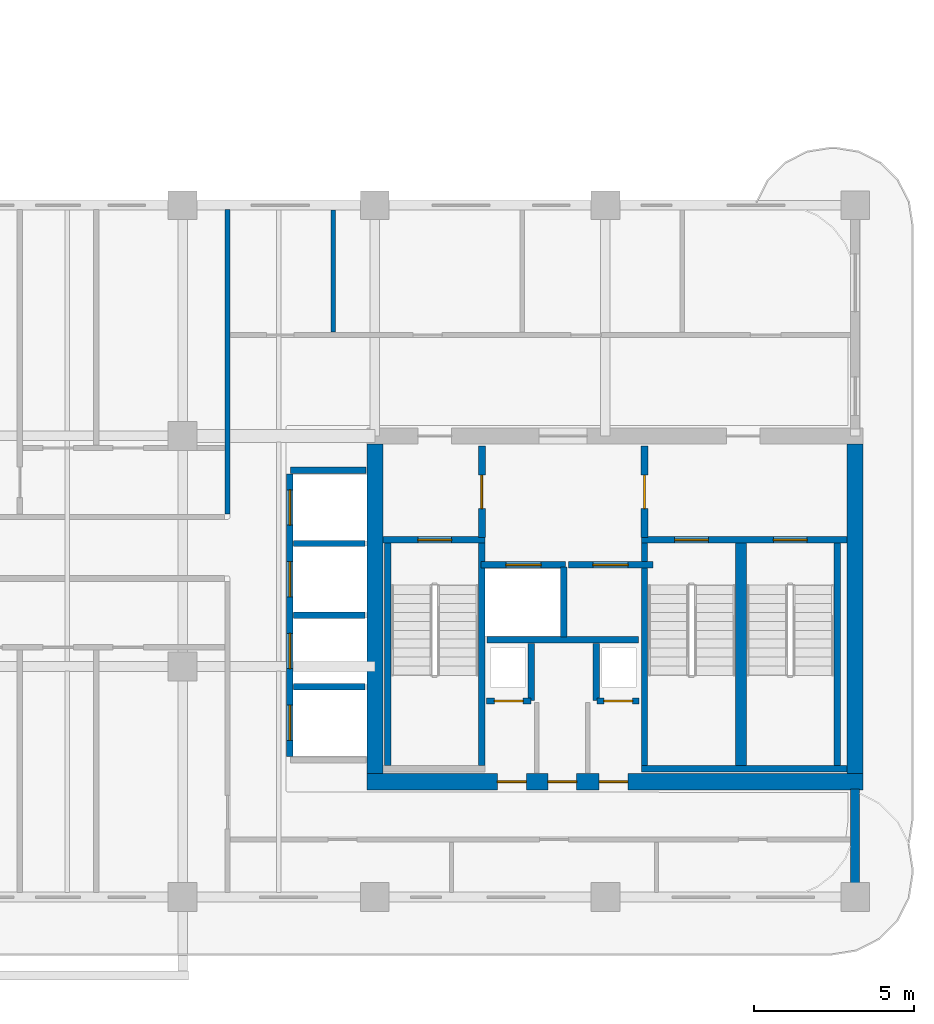
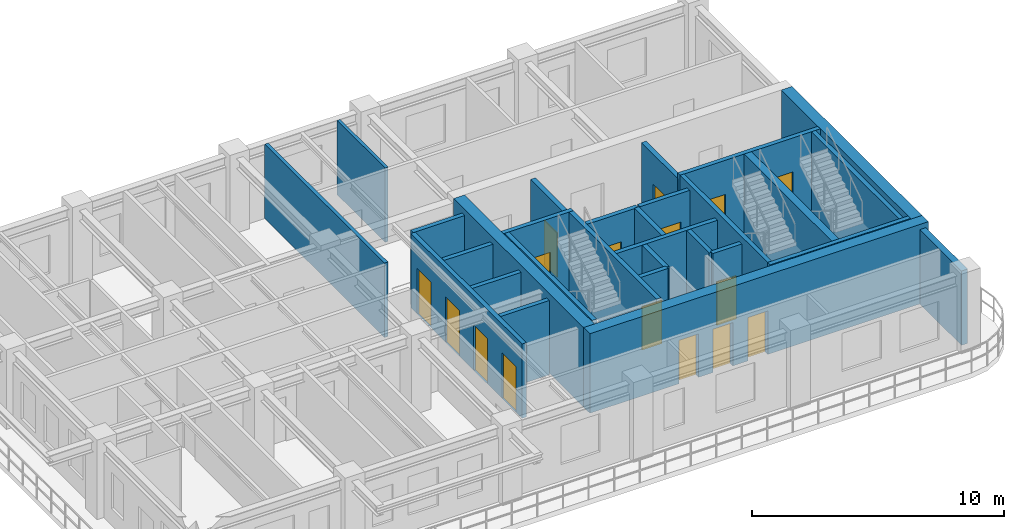
# One storey, part 6 of 14: 29 walls, 16 doors, 16 openings.
"""IFC4 building model written with IfcOpenShell, lengths in metres."""

from ifc_helpers import new_model, si_unit, derived_unit, direction, frame, frame_2d, origin, place, context, subcontext, project, spatial, rectangle, extrude, source, transform, mapped, material, layer, layer_set, type_object, type_shapes, element, fill, save


model = new_model("IFC4")

# Units and contexts
model_context = context("Model", 3, precision=1e-05, world=origin(), true_north=direction((0.0, 1.0)))
body_context = subcontext(model_context, "Body", "Model", "MODEL_VIEW")
ifc_project = project(units=[si_unit("LENGTHUNIT", "METRE"), si_unit("AREAUNIT", "SQUARE_METRE"), si_unit("VOLUMEUNIT", "CUBIC_METRE"), si_unit("PLANEANGLEUNIT", "RADIAN"), si_unit("MASSUNIT", "GRAM", prefix="KILO"), si_unit("THERMODYNAMICTEMPERATUREUNIT", "KELVIN"), si_unit("POWERUNIT", "WATT"), derived_unit("THERMALTRANSMITTANCEUNIT", [(si_unit("POWERUNIT", "WATT"), 1), (si_unit("AREAUNIT", "SQUARE_METRE"), -1), (si_unit("THERMODYNAMICTEMPERATUREUNIT", "KELVIN"), -1)])], contexts=[model_context])

# Site, building, storey
site_placement = place(None, origin())
site = spatial("IfcSite", under=ifc_project, at=site_placement, CompositionType="ELEMENT")
building_placement = place(site_placement, origin())
building = spatial("IfcBuilding", under=site, at=building_placement, Name="Zahravan Archway Hotel and Residences", CompositionType="ELEMENT")
storey_placement = place(building_placement, frame((0.0, 0.0, 205.75)))
storey = spatial("IfcBuildingStorey", under=building, at=storey_placement, Name="L51", CompositionType="ELEMENT", Elevation=205.75)

# Wall, openings, doors
ifc_material_1 = material(Name="Concrete C60/75", Category="concrete")
ifc_layer_1 = layer(ifc_material_1, 0.5, Name="Concrete C60/75", Category="concrete")
ifc_layer_set_1 = layer_set([ifc_layer_1], Name="Concrete C60/75")
wall_type_1 = type_object("IfcWallType", Name="CW-CORE-500", PredefinedType="SHEAR", material=ifc_layer_set_1)
wall_1_placement = place(storey_placement, frame((34.550048828125, 3.60009765625, 0.0), z_axis=(0.0, 0.0, 1.0), x_axis=(1.0, 0.0, 0.0)))
wall_1 = element("IfcWall", 1, at=wall_1_placement, inside=storey, type_object=wall_type_1, Name="L51 Core A Shear S Wall 500 mm", PredefinedType="SHEAR", context=body_context, shape_type="SweptSolid", body=[
    extrude(rectangle(XDim=15.5, YDim=0.5, at=frame_2d((7.75, 0.0))), origin(), (0.0, 0.0, 1.0), 3.85009765625),
])
opening_1_placement = place(wall_1_placement, frame((4.080078125, 0.0, 0.0)))
opening_1 = element("IfcOpeningElement", 2, at=opening_1_placement, cuts=wall_1, Name="Opening FD-R1", PredefinedType="OPENING", context=body_context, shape_type="SweptSolid", body=[
    extrude(rectangle(XDim=0.89990234375, YDim=2.10009765625, at=frame_2d((0.449951171875, 1.050048828125))), frame((0.0, 0.260009765625, 0.0), z_axis=(0.0, -1.0, 0.0), x_axis=(1.0, 0.0, 0.0)), (0.0, 0.0, 1.0), 0.52001953125),
])
opening_2_placement = place(wall_1_placement, frame((5.64990234375, 0.0, 0.0)))
opening_2 = element("IfcOpeningElement", 3, at=opening_2_placement, cuts=wall_1, Name="Opening FD-R1", PredefinedType="OPENING", context=body_context, shape_type="SweptSolid", body=[
    extrude(rectangle(XDim=0.89990234375, YDim=2.10009765625, at=frame_2d((0.449951171875, 1.050048828125))), frame((0.0, 0.260009765625, 0.0), z_axis=(0.0, -1.0, 0.0), x_axis=(1.0, 0.0, 0.0)), (0.0, 0.0, 1.0), 0.52001953125),
])
opening_3_placement = place(wall_1_placement, frame((7.25, 0.0, 0.0)))
opening_3 = element("IfcOpeningElement", 4, at=opening_3_placement, cuts=wall_1, Name="Opening FD-R1", PredefinedType="OPENING", context=body_context, shape_type="SweptSolid", body=[
    extrude(rectangle(XDim=0.89990234375, YDim=2.10009765625, at=frame_2d((0.449951171875, 1.050048828125))), frame((0.0, 0.260009765625, 0.0), z_axis=(0.0, -1.0, 0.0), x_axis=(1.0, 0.0, 0.0)), (0.0, 0.0, 1.0), 0.52001953125),
])
ifc_material_2 = material(Name="Fire-Rated Painted Steel", Category="steel")
door_type_1 = type_object("IfcDoorType", Name="FD-RISER-900", OperationType="NOTDEFINED", PredefinedType="DOOR", material=ifc_material_2)
shared_shape_1 = source(origin(), body_context, "Body", "SweptSolid", [
    extrude(rectangle(XDim=0.89990234375, YDim=2.10009765625, at=frame_2d((0.449951171875, 1.050048828125))), frame((0.0, 0.02490234375, 0.0), z_axis=(0.0, -1.0, 0.0), x_axis=(1.0, 0.0, 0.0)), (0.0, 0.0, 1.0), 0.050048828125),
])
type_shapes(door_type_1, [shared_shape_1])
door_1_placement = place(opening_1_placement, origin())
door_1 = element("IfcDoor", 5, at=door_1_placement, inside=storey, type_object=door_type_1, Name="L51 Linen Store Door", OperationType="SINGLE_SWING_RIGHT", OverallHeight=2.10009765625, OverallWidth=0.89990234375, PredefinedType="DOOR", context=body_context, shape_type="MappedRepresentation", body=[
    mapped(shared_shape_1, transform((0.0, 0.0, 0.0), scale=1.0)),
])
fill(opening_1, door_1)
door_2_placement = place(opening_2_placement, origin())
door_2 = element("IfcDoor", 6, at=door_2_placement, inside=storey, type_object=door_type_1, Name="L51 Housekeeping Store Door", OperationType="SINGLE_SWING_LEFT", OverallHeight=2.10009765625, OverallWidth=0.89990234375, PredefinedType="DOOR", context=body_context, shape_type="MappedRepresentation", body=[
    mapped(shared_shape_1, transform((0.0, 0.0, 0.0), scale=1.0)),
])
fill(opening_2, door_2)
door_3_placement = place(opening_3_placement, origin())
door_3 = element("IfcDoor", 7, at=door_3_placement, inside=storey, type_object=door_type_1, Name="L51 Janitor Store Door", OperationType="SINGLE_SWING_RIGHT", OverallHeight=2.10009765625, OverallWidth=0.89990234375, PredefinedType="DOOR", context=body_context, shape_type="MappedRepresentation", body=[
    mapped(shared_shape_1, transform((0.0, 0.0, 0.0), scale=1.0)),
])
fill(opening_3, door_3)

# Walls
for number, where, z_axis, x_axis, name in (
    (8, (34.800048828125, 3.85009765625, 0.0), (0.0, 0.0, 1.0), (0.0, 1.0, 0.0), "L51 Core A Shear W Wall 500 mm"),
    (9, (49.800048828125, 3.85009765625, 0.0), (0.0, 0.0, 1.0), (0.0, 1.0, 0.0), "L51 Core A Shear E Wall 500 mm"),
):
    element("IfcWall", number, at=place(storey_placement, frame(where, z_axis=z_axis, x_axis=x_axis)), inside=storey, type_object=wall_type_1, Name=name, PredefinedType="SHEAR", context=body_context, shape_type="SweptSolid", body=[
        extrude(rectangle(XDim=10.2998046875, YDim=0.5, at=frame_2d((5.14990234375, 0.0))), origin(), (0.0, 0.0, 1.0), 3.85009765625),
    ])
ifc_material_3 = material(Name="Honed Red-Ochre Sandstone & Insulated Block", Category="masonry")
ifc_layer_2 = layer(ifc_material_3, 0.280029296875, Name="Honed Red-Ochre Sandstone & Insulated Block", Category="masonry")
ifc_layer_set_2 = layer_set([ifc_layer_2], Name="Honed Red-Ochre Sandstone & Insulated Block")
wall_type_2 = type_object("IfcWallType", Name="EW-LOG-280", PredefinedType="SOLIDWALL", material=ifc_layer_set_2)
wall_2_placement = place(storey_placement, frame((49.800048828125, 0.050048828125, 0.0), z_axis=(0.0, 0.0, 1.0), x_axis=(0.0, 1.0, 0.0)))
element("IfcWall", 10, at=wall_2_placement, inside=storey, type_object=wall_type_2, Name="L51 Exterior Sandstone Wall WA-ES", PredefinedType="SOLIDWALL", context=body_context, shape_type="SweptSolid", body=[
    extrude(rectangle(XDim=3.329833984375, YDim=0.280029296875, at=frame_2d((1.6650390625, 0.0))), origin(), (0.0, 0.0, 1.0), 3.60009765625),
])

# Wall, opening, door
ifc_material_4 = material(Name="Fire-Rated Gypsum & Concrete Block", Category="concrete")
ifc_layer_3 = layer(ifc_material_4, 0.219970703125, Name="Fire-Rated Gypsum & Concrete Block", Category="concrete")
ifc_layer_set_3 = layer_set([ifc_layer_3], Name="Fire-Rated Gypsum & Concrete Block")
wall_type_3 = type_object("IfcWallType", Name="PW-COMP-220", PredefinedType="PARTITIONING", material=ifc_layer_set_3)
wall_3_placement = place(storey_placement, frame((38.139892578125, 11.219970703125, 0.0), z_axis=(0.0, 0.0, 1.0), x_axis=(0.0, 1.0, 0.0)))
wall_3 = element("IfcWall", 11, at=wall_3_placement, inside=storey, type_object=wall_type_3, Name="L51 Partition CA-LOBW", PredefinedType="PARTITIONING", context=body_context, shape_type="SweptSolid", body=[
    extrude(rectangle(XDim=2.860107421875, YDim=0.219970703125, at=frame_2d((1.43017578125, 0.0))), origin(), (0.0, 0.0, 1.0), 3.60009765625),
])
opening_4_placement = place(wall_3_placement, frame((0.905029296875, 0.0, 0.0)))
opening_4 = element("IfcOpeningElement", 12, at=opening_4_placement, cuts=wall_3, Name="Opening FD-L2", PredefinedType="OPENING", context=body_context, shape_type="SweptSolid", body=[
    extrude(rectangle(XDim=1.050048828125, YDim=2.14990234375, at=frame_2d((0.52490234375, 1.074951171875))), frame((0.0, 0.1201171875, 0.0), z_axis=(0.0, -1.0, 0.0), x_axis=(1.0, 0.0, 0.0)), (0.0, 0.0, 1.0), 0.239990234375),
])
door_type_2 = type_object("IfcDoorType", Name="FD-LOBBY-1100", OperationType="NOTDEFINED", PredefinedType="DOOR", material=ifc_material_2)
shared_shape_2 = source(origin(), body_context, "Body", "SweptSolid", [
    extrude(rectangle(XDim=1.050048828125, YDim=2.14990234375, at=frame_2d((0.52490234375, 1.074951171875))), frame((0.0, 0.02490234375, 0.0), z_axis=(0.0, -1.0, 0.0), x_axis=(1.0, 0.0, 0.0)), (0.0, 0.0, 1.0), 0.050048828125),
])
type_shapes(door_type_2, [shared_shape_2])
door_4_placement = place(opening_4_placement, origin())
door_4 = element("IfcDoor", 13, at=door_4_placement, inside=storey, type_object=door_type_2, Name="L51 Core A West Stair to FSAE Lobby Door", OperationType="SINGLE_SWING_RIGHT", OverallHeight=2.14990234375, OverallWidth=1.050048828125, PredefinedType="DOOR", context=body_context, shape_type="MappedRepresentation", body=[
    mapped(shared_shape_2, transform((0.0, 0.0, 0.0), scale=1.0)),
])
fill(opening_4, door_4)

wall_4_placement = place(storey_placement, frame((43.219970703125, 11.219970703125, 0.0), z_axis=(0.0, 0.0, 1.0), x_axis=(0.0, 1.0, 0.0)))
wall_4 = element("IfcWall", 14, at=wall_4_placement, inside=storey, type_object=wall_type_3, Name="L51 Partition CA-LOBE", PredefinedType="PARTITIONING", context=body_context, shape_type="SweptSolid", body=[
    extrude(rectangle(XDim=2.860107421875, YDim=0.219970703125, at=frame_2d((1.43017578125, 0.0))), origin(), (0.0, 0.0, 1.0), 3.60009765625),
])
opening_5_placement = place(wall_4_placement, frame((0.905029296875, 0.0, 0.0)))
opening_5 = element("IfcOpeningElement", 15, at=opening_5_placement, cuts=wall_4, Name="Opening FD-L2", PredefinedType="OPENING", context=body_context, shape_type="SweptSolid", body=[
    extrude(rectangle(XDim=1.050048828125, YDim=2.14990234375, at=frame_2d((0.52490234375, 1.074951171875))), frame((0.0, 0.1201171875, 0.0), z_axis=(0.0, -1.0, 0.0), x_axis=(1.0, 0.0, 0.0)), (0.0, 0.0, 1.0), 0.239990234375),
])
door_5_placement = place(opening_5_placement, origin())
door_5 = element("IfcDoor", 16, at=door_5_placement, inside=storey, type_object=door_type_2, Name="L51 Core A East Stair to FSAE Lobby Door", OperationType="SINGLE_SWING_LEFT", OverallHeight=2.14990234375, OverallWidth=1.050048828125, PredefinedType="DOOR", context=body_context, shape_type="MappedRepresentation", body=[
    mapped(shared_shape_2, transform((0.0, 0.0, 0.0), scale=1.0)),
])
fill(opening_5, door_5)

# Walls
ifc_layer_4 = layer(ifc_material_4, 0.159912109375, Name="Fire-Rated Gypsum & Concrete Block", Category="concrete")
ifc_layer_set_4 = layer_set([ifc_layer_4], Name="Fire-Rated Gypsum & Concrete Block")
wall_type_4 = type_object("IfcWallType", Name="PW-CORR-160", PredefinedType="PARTITIONING", material=ifc_layer_set_4)
wall_5_placement = place(storey_placement, frame((30.199951171875, 11.9599609375, 0.0), z_axis=(0.0, 0.0, 1.0), x_axis=(0.0, 1.0, 0.0)))
element("IfcWall", 17, at=wall_5_placement, inside=storey, type_object=wall_type_4, Name="L51 Partition WA-FW", PredefinedType="PARTITIONING", context=body_context, shape_type="SweptSolid", body=[
    extrude(rectangle(XDim=9.5, YDim=0.159912109375, at=frame_2d((4.75, 0.0))), origin(), (0.0, 0.0, 1.0), 3.60009765625),
])
ifc_layer_5 = layer(ifc_material_4, 0.199951171875, Name="Fire-Rated Gypsum & Concrete Block", Category="concrete")
ifc_layer_set_5 = layer_set([ifc_layer_5], Name="Fire-Rated Gypsum & Concrete Block")
wall_type_5 = type_object("IfcWallType", Name="PW-SHAFT-200", PredefinedType="PARTITIONING", material=ifc_layer_set_5)
wall_6_placement = place(storey_placement, frame((38.300048828125, 8.030029296875, 0.0), z_axis=(0.0, 0.0, 1.0), x_axis=(1.0, 0.0, 0.0)))
element("IfcWall", 18, at=wall_6_placement, inside=storey, type_object=wall_type_5, Name="L51 Partition CA-FLS", PredefinedType="PARTITIONING", context=body_context, shape_type="SweptSolid", body=[
    extrude(rectangle(XDim=4.739990234375, YDim=0.199951171875, at=frame_2d((2.3701171875, 0.0))), origin(), (0.0, 0.0, 1.0), 3.60009765625),
])
wall_7_placement = place(storey_placement, frame((40.699951171875, 8.1201171875, 0.0), z_axis=(0.0, 0.0, 1.0), x_axis=(0.0, 1.0, 0.0)))
element("IfcWall", 19, at=wall_7_placement, inside=storey, type_object=wall_type_5, Name="L51 Partition CA-FLM", PredefinedType="PARTITIONING", context=body_context, shape_type="SweptSolid", body=[
    extrude(rectangle(XDim=2.179931640625, YDim=0.199951171875, at=frame_2d((1.08984375, 0.0))), origin(), (0.0, 0.0, 1.0), 3.60009765625),
])

# Wall, opening, door
wall_8_placement = place(storey_placement, frame((38.2900390625, 6.1201171875, 0.0), z_axis=(0.0, 0.0, 1.0), x_axis=(1.0, 0.0, 0.0)))
wall_8 = element("IfcWall", 20, at=wall_8_placement, inside=storey, type_object=wall_type_5, Name="L51 Partition CA-SMKS", PredefinedType="PARTITIONING", context=body_context, shape_type="SweptSolid", body=[
    extrude(rectangle(XDim=1.3798828125, YDim=0.199951171875, at=frame_2d((0.68994140625, 0.0))), origin(), (0.0, 0.0, 1.0), 3.60009765625),
])
opening_6_placement = place(wall_8_placement, frame((0.239990234375, 0.0, 0.0)))
opening_6 = element("IfcOpeningElement", 21, at=opening_6_placement, cuts=wall_8, Name="Opening FD-R1", PredefinedType="OPENING", context=body_context, shape_type="SweptSolid", body=[
    extrude(rectangle(XDim=0.89990234375, YDim=2.10009765625, at=frame_2d((0.449951171875, 1.050048828125))), frame((0.0, 0.10986328125, 0.0), z_axis=(0.0, -1.0, 0.0), x_axis=(1.0, 0.0, 0.0)), (0.0, 0.0, 1.0), 0.219970703125),
])
door_6_placement = place(opening_6_placement, origin())
door_6 = element("IfcDoor", 22, at=door_6_placement, inside=storey, type_object=door_type_1, Name="L51 Smoke Riser Access Door", OperationType="SINGLE_SWING_RIGHT", OverallHeight=2.10009765625, OverallWidth=0.89990234375, PredefinedType="DOOR", context=body_context, shape_type="MappedRepresentation", body=[
    mapped(shared_shape_1, transform((0.0, 0.0, 0.0), scale=1.0)),
])
fill(opening_6, door_6)

# Wall
wall_9_placement = place(storey_placement, frame((39.679931640625, 6.1298828125, 0.0), z_axis=(0.0, 0.0, 1.0), x_axis=(0.0, 1.0, 0.0)))
element("IfcWall", 23, at=wall_9_placement, inside=storey, type_object=wall_type_5, Name="L51 Partition CA-SMKE", PredefinedType="PARTITIONING", context=body_context, shape_type="SweptSolid", body=[
    extrude(rectangle(XDim=1.7900390625, YDim=0.199951171875, at=frame_2d((0.89501953125, 0.0))), origin(), (0.0, 0.0, 1.0), 3.60009765625),
])

# Wall, opening, door
wall_10_placement = place(storey_placement, frame((41.72998046875, 6.1201171875, 0.0), z_axis=(0.0, 0.0, 1.0), x_axis=(1.0, 0.0, 0.0)))
wall_10 = element("IfcWall", 24, at=wall_10_placement, inside=storey, type_object=wall_type_5, Name="L51 Partition CA-MEPS", PredefinedType="PARTITIONING", context=body_context, shape_type="SweptSolid", body=[
    extrude(rectangle(XDim=1.320068359375, YDim=0.199951171875, at=frame_2d((0.66015625, 0.0))), origin(), (0.0, 0.0, 1.0), 3.60009765625),
])
opening_7_placement = place(wall_10_placement, frame((0.219970703125, 0.0, 0.0)))
opening_7 = element("IfcOpeningElement", 25, at=opening_7_placement, cuts=wall_10, Name="Opening FD-R1", PredefinedType="OPENING", context=body_context, shape_type="SweptSolid", body=[
    extrude(rectangle(XDim=0.89990234375, YDim=2.10009765625, at=frame_2d((0.449951171875, 1.050048828125))), frame((0.0, 0.10986328125, 0.0), z_axis=(0.0, -1.0, 0.0), x_axis=(1.0, 0.0, 0.0)), (0.0, 0.0, 1.0), 0.219970703125),
])
door_7_placement = place(opening_7_placement, origin())
door_7 = element("IfcDoor", 26, at=door_7_placement, inside=storey, type_object=door_type_1, Name="L51 MEP Riser Access Door", OperationType="SINGLE_SWING_LEFT", OverallHeight=2.10009765625, OverallWidth=0.89990234375, PredefinedType="DOOR", context=body_context, shape_type="MappedRepresentation", body=[
    mapped(shared_shape_1, transform((0.0, 0.0, 0.0), scale=1.0)),
])
fill(opening_7, door_7)

# Walls
wall_11_placement = place(storey_placement, frame((41.719970703125, 6.1298828125, 0.0), z_axis=(0.0, 0.0, 1.0), x_axis=(0.0, 1.0, 0.0)))
element("IfcWall", 27, at=wall_11_placement, inside=storey, type_object=wall_type_5, Name="L51 Partition CA-MEPW", PredefinedType="PARTITIONING", context=body_context, shape_type="SweptSolid", body=[
    extrude(rectangle(XDim=1.7900390625, YDim=0.199951171875, at=frame_2d((0.89501953125, 0.0))), origin(), (0.0, 0.0, 1.0), 3.60009765625),
])
wall_12_placement = place(storey_placement, frame((32.159912109375, 13.320068359375, 0.0), z_axis=(0.0, 0.0, 1.0), x_axis=(1.0, 0.0, 0.0)))
element("IfcWall", 28, at=wall_12_placement, inside=storey, type_object=wall_type_5, Name="L51 Partition B3-N", PredefinedType="PARTITIONING", context=body_context, shape_type="SweptSolid", body=[
    extrude(rectangle(XDim=2.360107421875, YDim=0.199951171875, at=frame_2d((1.18017578125, 0.0))), origin(), (0.0, 0.0, 1.0), 3.60009765625),
])

# Wall, openings, doors
wall_13_placement = place(storey_placement, frame((32.14990234375, 4.389892578125, 0.0), z_axis=(0.0, 0.0, 1.0), x_axis=(0.0, 1.0, 0.0)))
wall_13 = element("IfcWall", 29, at=wall_13_placement, inside=storey, type_object=wall_type_5, Name="L51 Partition B3-W", PredefinedType="PARTITIONING", context=body_context, shape_type="SweptSolid", body=[
    extrude(rectangle(XDim=8.820068359375, YDim=0.199951171875, at=frame_2d((4.41015625, 0.0))), origin(), (0.0, 0.0, 1.0), 3.60009765625),
])
opening_8_placement = place(wall_13_placement, frame((0.5, 0.0, 0.0)))
opening_8 = element("IfcOpeningElement", 30, at=opening_8_placement, cuts=wall_13, Name="Opening LD", PredefinedType="OPENING", context=body_context, shape_type="SweptSolid", body=[
    extrude(rectangle(XDim=1.10009765625, YDim=2.199951171875, at=frame_2d((0.550048828125, 1.10009765625))), frame((0.0, 0.10986328125, 0.0), z_axis=(0.0, -1.0, 0.0), x_axis=(1.0, 0.0, 0.0)), (0.0, 0.0, 1.0), 0.219970703125),
])
opening_9_placement = place(wall_13_placement, frame((2.739990234375, 0.0, 0.0)))
opening_9 = element("IfcOpeningElement", 31, at=opening_9_placement, cuts=wall_13, Name="Opening LD", PredefinedType="OPENING", context=body_context, shape_type="SweptSolid", body=[
    extrude(rectangle(XDim=1.10009765625, YDim=2.199951171875, at=frame_2d((0.550048828125, 1.10009765625))), frame((0.0, 0.10986328125, 0.0), z_axis=(0.0, -1.0, 0.0), x_axis=(1.0, 0.0, 0.0)), (0.0, 0.0, 1.0), 0.219970703125),
])
opening_10_placement = place(wall_13_placement, frame((4.97998046875, 0.0, 0.0)))
opening_10 = element("IfcOpeningElement", 32, at=opening_10_placement, cuts=wall_13, Name="Opening LD", PredefinedType="OPENING", context=body_context, shape_type="SweptSolid", body=[
    extrude(rectangle(XDim=1.10009765625, YDim=2.199951171875, at=frame_2d((0.550048828125, 1.10009765625))), frame((0.0, 0.10986328125, 0.0), z_axis=(0.0, -1.0, 0.0), x_axis=(1.0, 0.0, 0.0)), (0.0, 0.0, 1.0), 0.219970703125),
])
opening_11_placement = place(wall_13_placement, frame((7.219970703125, 0.0, 0.0)))
opening_11 = element("IfcOpeningElement", 33, at=opening_11_placement, cuts=wall_13, Name="Opening LD", PredefinedType="OPENING", context=body_context, shape_type="SweptSolid", body=[
    extrude(rectangle(XDim=1.10009765625, YDim=2.199951171875, at=frame_2d((0.550048828125, 1.10009765625))), frame((0.0, 0.10986328125, 0.0), z_axis=(0.0, -1.0, 0.0), x_axis=(1.0, 0.0, 0.0)), (0.0, 0.0, 1.0), 0.219970703125),
])
ifc_material_5 = material(Name="Brushed Stainless Steel", Category="steel")
door_type_3 = type_object("IfcDoorType", Name="DR-LIFT-LD", OperationType="SLIDING_TO_LEFT", PredefinedType="DOOR", material=ifc_material_5)
shared_shape_3 = source(origin(), body_context, "Body", "SweptSolid", [
    extrude(rectangle(XDim=1.10009765625, YDim=2.199951171875, at=frame_2d((0.550048828125, 1.10009765625))), frame((0.0, 0.02490234375, 0.0), z_axis=(0.0, -1.0, 0.0), x_axis=(1.0, 0.0, 0.0)), (0.0, 0.0, 1.0), 0.050048828125),
])
type_shapes(door_type_3, [shared_shape_3])
door_8_placement = place(opening_8_placement, origin())
door_8 = element("IfcDoor", 34, at=door_8_placement, inside=storey, type_object=door_type_3, Name="L51 Lift LP-7 Sliding Landing Door", OperationType="SLIDING_TO_LEFT", OverallHeight=2.199951171875, OverallWidth=1.10009765625, PredefinedType="DOOR", context=body_context, shape_type="MappedRepresentation", body=[
    mapped(shared_shape_3, transform((0.0, 0.0, 0.0), scale=1.0)),
])
fill(opening_8, door_8)
door_9_placement = place(opening_9_placement, origin())
door_9 = element("IfcDoor", 35, at=door_9_placement, inside=storey, type_object=door_type_3, Name="L51 Lift LP-8 Sliding Landing Door", OperationType="SLIDING_TO_LEFT", OverallHeight=2.199951171875, OverallWidth=1.10009765625, PredefinedType="DOOR", context=body_context, shape_type="MappedRepresentation", body=[
    mapped(shared_shape_3, transform((0.0, 0.0, 0.0), scale=1.0)),
])
fill(opening_9, door_9)
door_10_placement = place(opening_10_placement, origin())
door_10 = element("IfcDoor", 36, at=door_10_placement, inside=storey, type_object=door_type_3, Name="L51 Lift LP-9 Sliding Landing Door", OperationType="SLIDING_TO_LEFT", OverallHeight=2.199951171875, OverallWidth=1.10009765625, PredefinedType="DOOR", context=body_context, shape_type="MappedRepresentation", body=[
    mapped(shared_shape_3, transform((0.0, 0.0, 0.0), scale=1.0)),
])
fill(opening_10, door_10)
door_11_placement = place(opening_11_placement, origin())
door_11 = element("IfcDoor", 37, at=door_11_placement, inside=storey, type_object=door_type_3, Name="L51 Lift LP-10 Sliding Landing Door", OperationType="SLIDING_TO_LEFT", OverallHeight=2.199951171875, OverallWidth=1.10009765625, PredefinedType="DOOR", context=body_context, shape_type="MappedRepresentation", body=[
    mapped(shared_shape_3, transform((0.0, 0.0, 0.0), scale=1.0)),
])
fill(opening_11, door_11)

# Walls
for number, where, z_axis, x_axis, name in (
    (38, (32.260009765625, 6.56005859375, 0.0), (0.0, 0.0, 1.0), (1.0, 0.0, 0.0), "L51 Partition B3-D"),
    (39, (32.260009765625, 8.800048828125, 0.0), (0.0, 0.0, 1.0), (1.0, 0.0, 0.0), "L51 Partition B3-D"),
    (40, (32.260009765625, 11.0400390625, 0.0), (0.0, 0.0, 1.0), (1.0, 0.0, 0.0), "L51 Partition B3-D"),
):
    element("IfcWall", number, at=place(storey_placement, frame(where, z_axis=z_axis, x_axis=x_axis)), inside=storey, type_object=wall_type_5, Name=name, PredefinedType="PARTITIONING", context=body_context, shape_type="SweptSolid", body=[
        extrude(rectangle(XDim=2.22998046875, YDim=0.199951171875, at=frame_2d((1.114990234375, 0.0))), origin(), (0.0, 0.0, 1.0), 3.60009765625),
    ])

# Wall, opening, door
wall_14_placement = place(storey_placement, frame((38.1201171875, 10.3701171875, 0.0), z_axis=(0.0, 0.0, 1.0), x_axis=(1.0, 0.0, 0.0)))
wall_14 = element("IfcWall", 41, at=wall_14_placement, inside=storey, type_object=wall_type_5, Name="L51 Lift FL-1 Front Wall", PredefinedType="PARTITIONING", context=body_context, shape_type="SweptSolid", body=[
    extrude(rectangle(XDim=2.639892578125, YDim=0.199951171875, at=frame_2d((1.31982421875, 0.0))), origin(), (0.0, 0.0, 1.0), 3.60009765625),
])
opening_12_placement = place(wall_14_placement, frame((0.77001953125, 0.0, 0.0)))
opening_12 = element("IfcOpeningElement", 42, at=opening_12_placement, cuts=wall_14, Name="Opening LD", PredefinedType="OPENING", context=body_context, shape_type="SweptSolid", body=[
    extrude(rectangle(XDim=1.10009765625, YDim=2.199951171875, at=frame_2d((0.550048828125, 1.10009765625))), frame((0.0, 0.10986328125, 0.0), z_axis=(0.0, -1.0, 0.0), x_axis=(1.0, 0.0, 0.0)), (0.0, 0.0, 1.0), 0.219970703125),
])
door_12_placement = place(opening_12_placement, origin())
door_12 = element("IfcDoor", 43, at=door_12_placement, inside=storey, type_object=door_type_3, Name="L51 Lift FL-1 Sliding Landing Door", OperationType="SLIDING_TO_LEFT", OverallHeight=2.199951171875, OverallWidth=1.10009765625, PredefinedType="DOOR", context=body_context, shape_type="MappedRepresentation", body=[
    mapped(shared_shape_3, transform((0.0, 0.0, 0.0), scale=1.0)),
])
fill(opening_12, door_12)

wall_15_placement = place(storey_placement, frame((40.840087890625, 10.3701171875, 0.0), z_axis=(0.0, 0.0, 1.0), x_axis=(1.0, 0.0, 0.0)))
wall_15 = element("IfcWall", 44, at=wall_15_placement, inside=storey, type_object=wall_type_5, Name="L51 Lift FL-2 Front Wall", PredefinedType="PARTITIONING", context=body_context, shape_type="SweptSolid", body=[
    extrude(rectangle(XDim=2.639892578125, YDim=0.199951171875, at=frame_2d((1.31982421875, 0.0))), origin(), (0.0, 0.0, 1.0), 3.60009765625),
])
opening_13_placement = place(wall_15_placement, frame((0.77001953125, 0.0, 0.0)))
opening_13 = element("IfcOpeningElement", 45, at=opening_13_placement, cuts=wall_15, Name="Opening LD", PredefinedType="OPENING", context=body_context, shape_type="SweptSolid", body=[
    extrude(rectangle(XDim=1.10009765625, YDim=2.199951171875, at=frame_2d((0.550048828125, 1.10009765625))), frame((0.0, 0.10986328125, 0.0), z_axis=(0.0, -1.0, 0.0), x_axis=(1.0, 0.0, 0.0)), (0.0, 0.0, 1.0), 0.219970703125),
])
door_13_placement = place(opening_13_placement, origin())
door_13 = element("IfcDoor", 46, at=door_13_placement, inside=storey, type_object=door_type_3, Name="L51 Lift FL-2 Sliding Landing Door", OperationType="SLIDING_TO_LEFT", OverallHeight=2.199951171875, OverallWidth=1.10009765625, PredefinedType="DOOR", context=body_context, shape_type="MappedRepresentation", body=[
    mapped(shared_shape_3, transform((0.0, 0.0, 0.0), scale=1.0)),
])
fill(opening_13, door_13)

# Walls
ifc_material_6 = material(Name="Moisture-Resistant Blockwork", Category="masonry")
ifc_layer_6 = layer(ifc_material_6, 0.139892578125, Name="Moisture-Resistant Blockwork", Category="masonry")
ifc_layer_set_6 = layer_set([ifc_layer_6], Name="Moisture-Resistant Blockwork")
wall_type_6 = type_object("IfcWallType", Name="PW-WET-140", PredefinedType="PARTITIONING", material=ifc_layer_set_6)
wall_16_placement = place(storey_placement, frame((33.5, 17.639892578125, 0.0), z_axis=(0.0, 0.0, 1.0), x_axis=(0.0, 1.0, 0.0)))
element("IfcWall", 47, at=wall_16_placement, inside=storey, type_object=wall_type_6, Name="L51 Partition NE2-1", PredefinedType="PARTITIONING", context=body_context, shape_type="SweptSolid", body=[
    extrude(rectangle(XDim=3.81201171875, YDim=0.139892578125, at=frame_2d((1.906005859375, 0.0))), origin(), (0.0, 0.0, 1.0), 3.60009765625),
])
ifc_material_7 = material(Name="Concrete C50/60", Category="concrete")
ifc_layer_7 = layer(ifc_material_7, 0.199951171875, Name="Concrete C50/60", Category="concrete")
ifc_layer_set_7 = layer_set([ifc_layer_7], Name="Concrete C50/60")
wall_type_7 = type_object("IfcWallType", Name="SW-STAIR-200", PredefinedType="SHEAR", material=ifc_layer_set_7)
for number, where, z_axis, x_axis, name in (
    (48, (35.199951171875, 4.10009765625, 0.0), (0.0, 0.0, 1.0), (0.0, 1.0, 0.0), "L51 Stairwell RC Wall CA-SA1W"),
    (49, (38.139892578125, 4.10009765625, 0.0), (0.0, 0.0, 1.0), (0.0, 1.0, 0.0), "L51 Stairwell RC Wall CA-SA1E"),
):
    element("IfcWall", number, at=place(storey_placement, frame(where, z_axis=z_axis, x_axis=x_axis)), inside=storey, type_object=wall_type_7, Name=name, PredefinedType="SHEAR", context=body_context, shape_type="SweptSolid", body=[
        extrude(rectangle(XDim=6.949951171875, YDim=0.199951171875, at=frame_2d((3.47509765625, 0.0))), origin(), (0.0, 0.0, 1.0), 3.85009765625),
    ])

# Wall, opening, door
wall_17_placement = place(storey_placement, frame((35.050048828125, 11.14990234375, 0.0), z_axis=(0.0, 0.0, 1.0), x_axis=(1.0, 0.0, 0.0)))
wall_17 = element("IfcWall", 50, at=wall_17_placement, inside=storey, type_object=wall_type_7, Name="L51 Stairwell RC Wall CA-SA1N", PredefinedType="SHEAR", context=body_context, shape_type="SweptSolid", body=[
    extrude(rectangle(XDim=3.18994140625, YDim=0.199951171875, at=frame_2d((1.594970703125, 0.0))), origin(), (0.0, 0.0, 1.0), 3.85009765625),
])
opening_14_placement = place(wall_17_placement, frame((1.094970703125, 0.0, 0.0)))
opening_14 = element("IfcOpeningElement", 51, at=opening_14_placement, cuts=wall_17, Name="Opening FD-S1", PredefinedType="OPENING", context=body_context, shape_type="SweptSolid", body=[
    extrude(rectangle(XDim=1.050048828125, YDim=2.199951171875, at=frame_2d((0.52490234375, 1.10009765625))), frame((0.0, 0.10986328125, 0.0), z_axis=(0.0, -1.0, 0.0), x_axis=(1.0, 0.0, 0.0)), (0.0, 0.0, 1.0), 0.219970703125),
])
door_type_4 = type_object("IfcDoorType", Name="FD-STAIR-1100", OperationType="NOTDEFINED", PredefinedType="DOOR", material=ifc_material_2)
shared_shape_4 = source(origin(), body_context, "Body", "SweptSolid", [
    extrude(rectangle(XDim=1.050048828125, YDim=2.199951171875, at=frame_2d((0.52490234375, 1.10009765625))), frame((0.0, 0.02490234375, 0.0), z_axis=(0.0, -1.0, 0.0), x_axis=(1.0, 0.0, 0.0)), (0.0, 0.0, 1.0), 0.050048828125),
])
type_shapes(door_type_4, [shared_shape_4])
door_14_placement = place(opening_14_placement, origin())
door_14 = element("IfcDoor", 52, at=door_14_placement, inside=storey, type_object=door_type_4, Name="L51 Stair ST-A1 Door", OperationType="SINGLE_SWING_LEFT", OverallHeight=2.199951171875, OverallWidth=1.050048828125, PredefinedType="DOOR", context=body_context, shape_type="MappedRepresentation", body=[
    mapped(shared_shape_4, transform((0.0, 0.0, 0.0), scale=1.0)),
])
fill(opening_14, door_14)

# Walls
wall_18_placement = place(storey_placement, frame((43.1201171875, 4.0, 0.0), z_axis=(0.0, 0.0, 1.0), x_axis=(1.0, 0.0, 0.0)))
element("IfcWall", 53, at=wall_18_placement, inside=storey, type_object=wall_type_7, Name="L51 Stairwell RC Wall CA-SA23S", PredefinedType="SHEAR", context=body_context, shape_type="SweptSolid", body=[
    extrude(rectangle(XDim=6.429931640625, YDim=0.199951171875, at=frame_2d((3.21484375, 0.0))), origin(), (0.0, 0.0, 1.0), 3.85009765625),
])
for number, where, z_axis, x_axis, name in (
    (54, (43.219970703125, 4.10009765625, 0.0), (0.0, 0.0, 1.0), (0.0, 1.0, 0.0), "L51 Stairwell RC Wall CA-SA2W"),
    (55, (49.239990234375, 4.10009765625, 0.0), (0.0, 0.0, 1.0), (0.0, 1.0, 0.0), "L51 Stairwell RC Wall CA-SA3E"),
):
    element("IfcWall", number, at=place(storey_placement, frame(where, z_axis=z_axis, x_axis=x_axis)), inside=storey, type_object=wall_type_7, Name=name, PredefinedType="SHEAR", context=body_context, shape_type="SweptSolid", body=[
        extrude(rectangle(XDim=6.949951171875, YDim=0.199951171875, at=frame_2d((3.47509765625, 0.0))), origin(), (0.0, 0.0, 1.0), 3.85009765625),
    ])

# Wall, openings, doors
wall_19_placement = place(storey_placement, frame((43.1201171875, 11.14990234375, 0.0), z_axis=(0.0, 0.0, 1.0), x_axis=(1.0, 0.0, 0.0)))
wall_19 = element("IfcWall", 56, at=wall_19_placement, inside=storey, type_object=wall_type_7, Name="L51 Stairwell RC Wall CA-SA23N", PredefinedType="SHEAR", context=body_context, shape_type="SweptSolid", body=[
    extrude(rectangle(XDim=6.429931640625, YDim=0.199951171875, at=frame_2d((3.21484375, 0.0))), origin(), (0.0, 0.0, 1.0), 3.85009765625),
])
opening_15_placement = place(wall_19_placement, frame((1.044921875, 0.0, 0.0)))
opening_15 = element("IfcOpeningElement", 57, at=opening_15_placement, cuts=wall_19, Name="Opening FD-S1", PredefinedType="OPENING", context=body_context, shape_type="SweptSolid", body=[
    extrude(rectangle(XDim=1.050048828125, YDim=2.199951171875, at=frame_2d((0.52490234375, 1.10009765625))), frame((0.0, 0.10986328125, 0.0), z_axis=(0.0, -1.0, 0.0), x_axis=(1.0, 0.0, 0.0)), (0.0, 0.0, 1.0), 0.219970703125),
])
opening_16_placement = place(wall_19_placement, frame((4.125, 0.0, 0.0)))
opening_16 = element("IfcOpeningElement", 58, at=opening_16_placement, cuts=wall_19, Name="Opening FD-S1", PredefinedType="OPENING", context=body_context, shape_type="SweptSolid", body=[
    extrude(rectangle(XDim=1.050048828125, YDim=2.199951171875, at=frame_2d((0.52490234375, 1.10009765625))), frame((0.0, 0.10986328125, 0.0), z_axis=(0.0, -1.0, 0.0), x_axis=(1.0, 0.0, 0.0)), (0.0, 0.0, 1.0), 0.219970703125),
])
door_15_placement = place(opening_15_placement, origin())
door_15 = element("IfcDoor", 59, at=door_15_placement, inside=storey, type_object=door_type_4, Name="L51 Stair ST-A2 Door", OperationType="SINGLE_SWING_RIGHT", OverallHeight=2.199951171875, OverallWidth=1.050048828125, PredefinedType="DOOR", context=body_context, shape_type="MappedRepresentation", body=[
    mapped(shared_shape_4, transform((0.0, 0.0, 0.0), scale=1.0)),
])
fill(opening_15, door_15)
door_16_placement = place(opening_16_placement, origin())
door_16 = element("IfcDoor", 60, at=door_16_placement, inside=storey, type_object=door_type_4, Name="L51 Stair ST-A3 Door", OperationType="SINGLE_SWING_LEFT", OverallHeight=2.199951171875, OverallWidth=1.050048828125, PredefinedType="DOOR", context=body_context, shape_type="MappedRepresentation", body=[
    mapped(shared_shape_4, transform((0.0, 0.0, 0.0), scale=1.0)),
])
fill(opening_16, door_16)

# Wall
ifc_layer_8 = layer(ifc_material_7, 0.340087890625, Name="Concrete C50/60", Category="concrete")
ifc_layer_set_8 = layer_set([ifc_layer_8], Name="Concrete C50/60")
wall_type_8 = type_object("IfcWallType", Name="SW-STAIR-340", PredefinedType="SHEAR", material=ifc_layer_set_8)
wall_20_placement = place(storey_placement, frame((46.22998046875, 4.10009765625, 0.0), z_axis=(0.0, 0.0, 1.0), x_axis=(0.0, 1.0, 0.0)))
element("IfcWall", 61, at=wall_20_placement, inside=storey, type_object=wall_type_8, Name="L51 Stairwell RC Wall CA-SA23M", PredefinedType="SHEAR", context=body_context, shape_type="SweptSolid", body=[
    extrude(rectangle(XDim=6.949951171875, YDim=0.340087890625, at=frame_2d((3.47509765625, 0.0))), origin(), (0.0, 0.0, 1.0), 3.85009765625),
])

save(model, "model.ifc")
